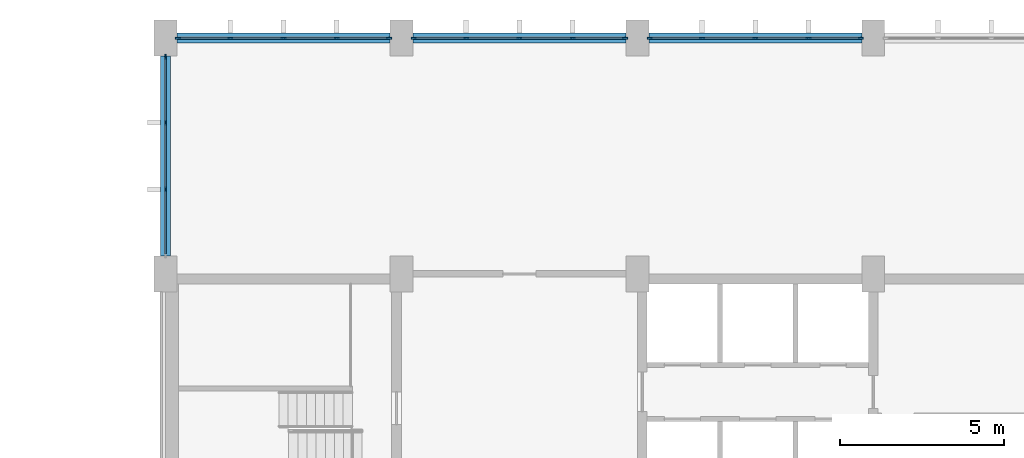
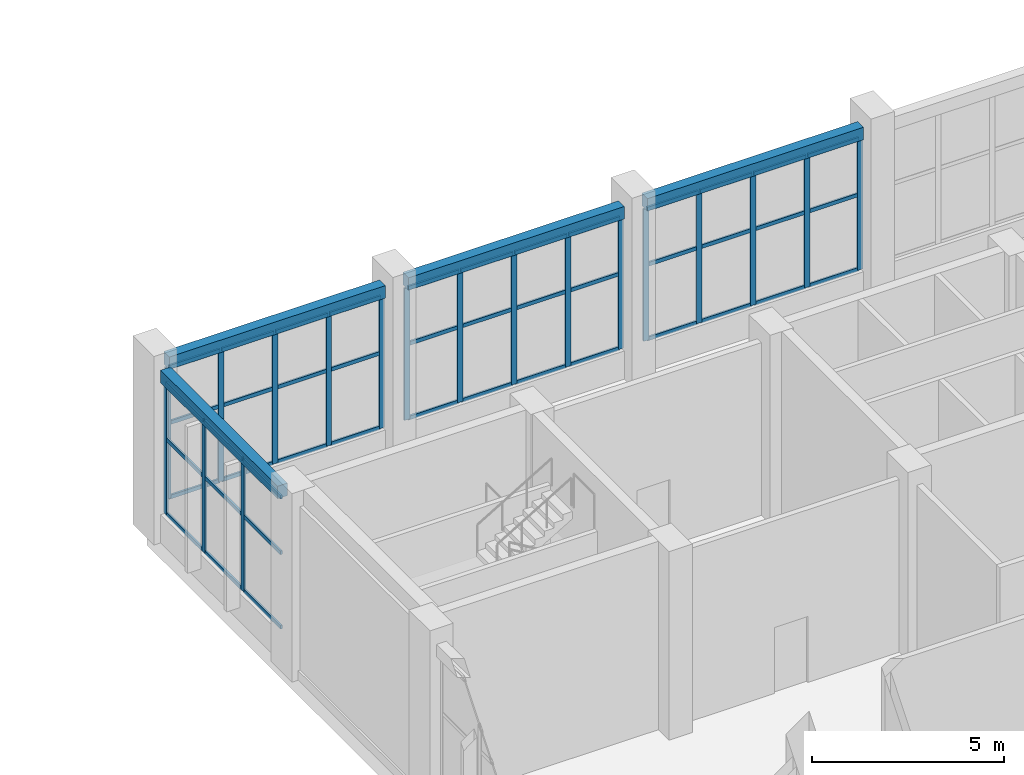
# One storey, part 15 of 44: 63 members, 4 beams, 4 elements without a shape of their own.
"""IFC4 building model written with IfcOpenShell, lengths in metres."""

from ifc_helpers import new_model, si_unit, direction, frame, origin, origin_2d, place, context, subcontext, project, spatial, rectangle, extrude, material, layer, layer_set, material_profile, profile_set, type_object, element, aggregate, save


model = new_model("IFC4")

# Units and contexts
model_context = context("Model", 3, precision=1e-05, world=origin(), true_north=direction((0.0, 1.0)))
body_context = subcontext(model_context, "Body", "Model", "MODEL_VIEW")
ifc_project = project(units=[si_unit("LENGTHUNIT", "METRE"), si_unit("AREAUNIT", "SQUARE_METRE"), si_unit("VOLUMEUNIT", "CUBIC_METRE"), si_unit("PLANEANGLEUNIT", "RADIAN"), si_unit("MASSUNIT", "GRAM", prefix="KILO")], contexts=[model_context])

# Site, building, storey
site_placement = place(None, origin())
site = spatial("IfcSite", under=ifc_project, at=site_placement, CompositionType="ELEMENT")
building_placement = place(site_placement, origin())
building = spatial("IfcBuilding", under=site, at=building_placement, Name="Vermilion Court Aquatics Centre", CompositionType="ELEMENT")
storey_placement = place(building_placement, frame((0.0, 0.0, 6.0)))
storey = spatial("IfcBuildingStorey", under=building, at=storey_placement, Name="L01", CompositionType="ELEMENT", Elevation=6.0)

# Curtain wall, members
ifc_material_1 = material(Name="Aluminium 6063-T5", Category="aluminium")
ifc_layer = layer(ifc_material_1, 0.14990234375)
ifc_layer_set = layer_set([ifc_layer], Name="Podium curtain wall bay, 1800 module")
curtain_wall_type = type_object("IfcCurtainWallType", Name="Podium curtain wall bay, 1800 module", PredefinedType="NOTDEFINED", material=ifc_layer_set)
curtain_wall_1_placement = place(storey_placement, origin())
curtain_wall_1 = element("IfcCurtainWall", 1, at=curtain_wall_1_placement, inside=storey, type_object=curtain_wall_type, Name="Curtain wall L01", PredefinedType="NOTDEFINED")
ifc_material_2 = material(Name="Aluminium 6063-T5", Category="aluminium")
ifc_material_profile_1 = material_profile(ifc_material_2, rectangle(XDim=0.06005859375, YDim=0.159912109375, at=origin_2d()), Name="Mullion 60x160")
ifc_profile_set_1 = profile_set([ifc_material_profile_1], Name="Aluminium 6063-T5")
member_type_1 = type_object("IfcMemberType", Name="Podium curtain wall mullion 60x160", PredefinedType="MULLION", material=ifc_profile_set_1)
member_1_placement = place(storey_placement, frame((144.3798828125, 115.199951171875, 0.89990234375), z_axis=(0.0, 0.0, 1.0), x_axis=(0.0, 1.0, 0.0)))
member_1 = element("IfcMember", 2, at=member_1_placement, type_object=member_type_1, Name="PG2 mullion 1", PredefinedType="MULLION", context=body_context, shape_type="SweptSolid", body=[
    extrude(rectangle(XDim=0.06005859375, YDim=0.159912109375, at=origin_2d()), origin(), (0.0, 0.0, 1.0), 4.2001953125),
])
member_2_placement = place(storey_placement, frame((145.97509765625, 115.199951171875, 0.89990234375), z_axis=(0.0, 0.0, 1.0), x_axis=(0.0, 1.0, 0.0)))
member_2 = element("IfcMember", 3, at=member_2_placement, type_object=member_type_1, Name="PG2 mullion 2", PredefinedType="MULLION", context=body_context, shape_type="SweptSolid", body=[
    extrude(rectangle(XDim=0.06005859375, YDim=0.159912109375, at=origin_2d()), origin(), (0.0, 0.0, 1.0), 4.2001953125),
])
member_3_placement = place(storey_placement, frame((147.60009765625, 115.199951171875, 0.89990234375), z_axis=(0.0, 0.0, 1.0), x_axis=(0.0, 1.0, 0.0)))
member_3 = element("IfcMember", 4, at=member_3_placement, type_object=member_type_1, Name="PG2 mullion 3", PredefinedType="MULLION", context=body_context, shape_type="SweptSolid", body=[
    extrude(rectangle(XDim=0.06005859375, YDim=0.159912109375, at=origin_2d()), origin(), (0.0, 0.0, 1.0), 4.2001953125),
])
member_4_placement = place(storey_placement, frame((149.22509765625, 115.199951171875, 0.89990234375), z_axis=(0.0, 0.0, 1.0), x_axis=(0.0, 1.0, 0.0)))
member_4 = element("IfcMember", 5, at=member_4_placement, type_object=member_type_1, Name="PG2 mullion 4", PredefinedType="MULLION", context=body_context, shape_type="SweptSolid", body=[
    extrude(rectangle(XDim=0.06005859375, YDim=0.159912109375, at=origin_2d()), origin(), (0.0, 0.0, 1.0), 4.2001953125),
])
member_5_placement = place(storey_placement, frame((150.820068359375, 115.199951171875, 0.89990234375), z_axis=(0.0, 0.0, 1.0), x_axis=(0.0, 1.0, 0.0)))
member_5 = element("IfcMember", 6, at=member_5_placement, type_object=member_type_1, Name="PG2 mullion 5", PredefinedType="MULLION", context=body_context, shape_type="SweptSolid", body=[
    extrude(rectangle(XDim=0.06005859375, YDim=0.159912109375, at=origin_2d()), origin(), (0.0, 0.0, 1.0), 4.2001953125),
])

curtain_wall_2_placement = place(storey_placement, origin())
curtain_wall_2 = element("IfcCurtainWall", 7, at=curtain_wall_2_placement, inside=storey, type_object=curtain_wall_type, Name="Curtain wall L01", PredefinedType="NOTDEFINED")
member_6_placement = place(storey_placement, frame((151.580078125, 115.199951171875, 0.89990234375), z_axis=(0.0, 0.0, 1.0), x_axis=(0.0, 1.0, 0.0)))
member_6 = element("IfcMember", 8, at=member_6_placement, type_object=member_type_1, Name="PG2 mullion 1", PredefinedType="MULLION", context=body_context, shape_type="SweptSolid", body=[
    extrude(rectangle(XDim=0.06005859375, YDim=0.159912109375, at=origin_2d()), origin(), (0.0, 0.0, 1.0), 4.2001953125),
])
member_7_placement = place(storey_placement, frame((153.175048828125, 115.199951171875, 0.89990234375), z_axis=(0.0, 0.0, 1.0), x_axis=(0.0, 1.0, 0.0)))
member_7 = element("IfcMember", 9, at=member_7_placement, type_object=member_type_1, Name="PG2 mullion 2", PredefinedType="MULLION", context=body_context, shape_type="SweptSolid", body=[
    extrude(rectangle(XDim=0.06005859375, YDim=0.159912109375, at=origin_2d()), origin(), (0.0, 0.0, 1.0), 4.2001953125),
])
member_8_placement = place(storey_placement, frame((154.800048828125, 115.199951171875, 0.89990234375), z_axis=(0.0, 0.0, 1.0), x_axis=(0.0, 1.0, 0.0)))
member_8 = element("IfcMember", 10, at=member_8_placement, type_object=member_type_1, Name="PG2 mullion 3", PredefinedType="MULLION", context=body_context, shape_type="SweptSolid", body=[
    extrude(rectangle(XDim=0.06005859375, YDim=0.159912109375, at=origin_2d()), origin(), (0.0, 0.0, 1.0), 4.2001953125),
])
member_9_placement = place(storey_placement, frame((156.425048828125, 115.199951171875, 0.89990234375), z_axis=(0.0, 0.0, 1.0), x_axis=(0.0, 1.0, 0.0)))
member_9 = element("IfcMember", 11, at=member_9_placement, type_object=member_type_1, Name="PG2 mullion 4", PredefinedType="MULLION", context=body_context, shape_type="SweptSolid", body=[
    extrude(rectangle(XDim=0.06005859375, YDim=0.159912109375, at=origin_2d()), origin(), (0.0, 0.0, 1.0), 4.2001953125),
])
member_10_placement = place(storey_placement, frame((158.02001953125, 115.199951171875, 0.89990234375), z_axis=(0.0, 0.0, 1.0), x_axis=(0.0, 1.0, 0.0)))
member_10 = element("IfcMember", 12, at=member_10_placement, type_object=member_type_1, Name="PG2 mullion 5", PredefinedType="MULLION", context=body_context, shape_type="SweptSolid", body=[
    extrude(rectangle(XDim=0.06005859375, YDim=0.159912109375, at=origin_2d()), origin(), (0.0, 0.0, 1.0), 4.2001953125),
])

curtain_wall_3_placement = place(storey_placement, origin())
curtain_wall_3 = element("IfcCurtainWall", 13, at=curtain_wall_3_placement, inside=storey, type_object=curtain_wall_type, Name="Curtain wall L01", PredefinedType="NOTDEFINED")
member_11_placement = place(storey_placement, frame((158.780029296875, 115.199951171875, 0.89990234375), z_axis=(0.0, 0.0, 1.0), x_axis=(0.0, 1.0, 0.0)))
member_11 = element("IfcMember", 14, at=member_11_placement, type_object=member_type_1, Name="PG2 mullion 1", PredefinedType="MULLION", context=body_context, shape_type="SweptSolid", body=[
    extrude(rectangle(XDim=0.06005859375, YDim=0.159912109375, at=origin_2d()), origin(), (0.0, 0.0, 1.0), 4.2001953125),
])
member_12_placement = place(storey_placement, frame((160.375, 115.199951171875, 0.89990234375), z_axis=(0.0, 0.0, 1.0), x_axis=(0.0, 1.0, 0.0)))
member_12 = element("IfcMember", 15, at=member_12_placement, type_object=member_type_1, Name="PG2 mullion 2", PredefinedType="MULLION", context=body_context, shape_type="SweptSolid", body=[
    extrude(rectangle(XDim=0.06005859375, YDim=0.159912109375, at=origin_2d()), origin(), (0.0, 0.0, 1.0), 4.2001953125),
])
member_13_placement = place(storey_placement, frame((162.0, 115.199951171875, 0.89990234375), z_axis=(0.0, 0.0, 1.0), x_axis=(0.0, 1.0, 0.0)))
member_13 = element("IfcMember", 16, at=member_13_placement, type_object=member_type_1, Name="PG2 mullion 3", PredefinedType="MULLION", context=body_context, shape_type="SweptSolid", body=[
    extrude(rectangle(XDim=0.06005859375, YDim=0.159912109375, at=origin_2d()), origin(), (0.0, 0.0, 1.0), 4.2001953125),
])
member_14_placement = place(storey_placement, frame((163.625, 115.199951171875, 0.89990234375), z_axis=(0.0, 0.0, 1.0), x_axis=(0.0, 1.0, 0.0)))
member_14 = element("IfcMember", 17, at=member_14_placement, type_object=member_type_1, Name="PG2 mullion 4", PredefinedType="MULLION", context=body_context, shape_type="SweptSolid", body=[
    extrude(rectangle(XDim=0.06005859375, YDim=0.159912109375, at=origin_2d()), origin(), (0.0, 0.0, 1.0), 4.2001953125),
])
member_15_placement = place(storey_placement, frame((165.219970703125, 115.199951171875, 0.89990234375), z_axis=(0.0, 0.0, 1.0), x_axis=(0.0, 1.0, 0.0)))
member_15 = element("IfcMember", 18, at=member_15_placement, type_object=member_type_1, Name="PG2 mullion 5", PredefinedType="MULLION", context=body_context, shape_type="SweptSolid", body=[
    extrude(rectangle(XDim=0.06005859375, YDim=0.159912109375, at=origin_2d()), origin(), (0.0, 0.0, 1.0), 4.2001953125),
])

curtain_wall_4_placement = place(storey_placement, origin())
curtain_wall_4 = element("IfcCurtainWall", 19, at=curtain_wall_4_placement, inside=storey, type_object=curtain_wall_type, Name="Curtain wall L01", PredefinedType="NOTDEFINED")
member_16_placement = place(storey_placement, frame((144.0, 110.583251953125, 0.89990234375), z_axis=(0.0, 0.0, 1.0), x_axis=(-1.0, 0.0, 0.0)))
member_16 = element("IfcMember", 20, at=member_16_placement, type_object=member_type_1, Name="PG2 mullion 2", PredefinedType="MULLION", context=body_context, shape_type="SweptSolid", body=[
    extrude(rectangle(XDim=0.06005859375, YDim=0.159912109375, at=origin_2d()), origin(), (0.0, 0.0, 1.0), 4.2001953125),
])
member_17_placement = place(storey_placement, frame((144.0, 112.61669921875, 0.89990234375), z_axis=(0.0, 0.0, 1.0), x_axis=(-1.0, 0.0, 0.0)))
member_17 = element("IfcMember", 21, at=member_17_placement, type_object=member_type_1, Name="PG2 mullion 3", PredefinedType="MULLION", context=body_context, shape_type="SweptSolid", body=[
    extrude(rectangle(XDim=0.06005859375, YDim=0.159912109375, at=origin_2d()), origin(), (0.0, 0.0, 1.0), 4.2001953125),
])
member_18_placement = place(storey_placement, frame((144.0, 114.6201171875, 0.89990234375), z_axis=(0.0, 0.0, 1.0), x_axis=(-1.0, 0.0, 0.0)))
member_18 = element("IfcMember", 22, at=member_18_placement, type_object=member_type_1, Name="PG2 mullion 4", PredefinedType="MULLION", context=body_context, shape_type="SweptSolid", body=[
    extrude(rectangle(XDim=0.06005859375, YDim=0.159912109375, at=origin_2d()), origin(), (0.0, 0.0, 1.0), 4.2001953125),
])

# Member
ifc_material_3 = material(Name="Aluminium 6063-T5", Category="aluminium")
ifc_material_profile_2 = material_profile(ifc_material_3, rectangle(XDim=0.06005859375, YDim=0.1201171875, at=origin_2d()), Name="Transom 60x120")
ifc_profile_set_2 = profile_set([ifc_material_profile_2], Name="Aluminium 6063-T5")
member_type_2 = type_object("IfcMemberType", Name="Podium curtain wall transom 60x120", PredefinedType="USERDEFINED", material=ifc_profile_set_2)
member_19_placement = place(storey_placement, frame((144.409912109375, 115.199951171875, 0.929931640625), z_axis=(1.0, 0.0, 0.0), x_axis=(0.0, 1.0, 0.0)))
member_19 = element("IfcMember", 23, at=member_19_placement, type_object=member_type_2, Name="PG2 transom 1.1", ObjectType="TRANSOM", PredefinedType="USERDEFINED", context=body_context, shape_type="SweptSolid", body=[
    extrude(rectangle(XDim=0.06005859375, YDim=0.1201171875, at=origin_2d()), origin(), (0.0, 0.0, 1.0), 1.53515625),
])

member_20_placement = place(storey_placement, frame((144.409912109375, 115.199951171875, 3.300048828125), z_axis=(1.0, 0.0, 0.0), x_axis=(0.0, 1.0, 0.0)))
member_20 = element("IfcMember", 24, at=member_20_placement, type_object=member_type_2, Name="PG2 transom 1.2", ObjectType="TRANSOM", PredefinedType="USERDEFINED", context=body_context, shape_type="SweptSolid", body=[
    extrude(rectangle(XDim=0.06005859375, YDim=0.1201171875, at=origin_2d()), origin(), (0.0, 0.0, 1.0), 1.53515625),
])

member_21_placement = place(storey_placement, frame((144.409912109375, 115.199951171875, 5.070068359375), z_axis=(1.0, 0.0, 0.0), x_axis=(0.0, 1.0, 0.0)))
member_21 = element("IfcMember", 25, at=member_21_placement, type_object=member_type_2, Name="PG2 transom 1.3", ObjectType="TRANSOM", PredefinedType="USERDEFINED", context=body_context, shape_type="SweptSolid", body=[
    extrude(rectangle(XDim=0.06005859375, YDim=0.1201171875, at=origin_2d()), origin(), (0.0, 0.0, 1.0), 1.53515625),
])

member_22_placement = place(storey_placement, frame((146.0048828125, 115.199951171875, 0.929931640625), z_axis=(1.0, 0.0, 0.0), x_axis=(0.0, 1.0, 0.0)))
member_22 = element("IfcMember", 26, at=member_22_placement, type_object=member_type_2, Name="PG2 transom 2.1", ObjectType="TRANSOM", PredefinedType="USERDEFINED", context=body_context, shape_type="SweptSolid", body=[
    extrude(rectangle(XDim=0.06005859375, YDim=0.1201171875, at=origin_2d()), origin(), (0.0, 0.0, 1.0), 1.565185546875),
])

member_23_placement = place(storey_placement, frame((146.0048828125, 115.199951171875, 3.300048828125), z_axis=(1.0, 0.0, 0.0), x_axis=(0.0, 1.0, 0.0)))
member_23 = element("IfcMember", 27, at=member_23_placement, type_object=member_type_2, Name="PG2 transom 2.2", ObjectType="TRANSOM", PredefinedType="USERDEFINED", context=body_context, shape_type="SweptSolid", body=[
    extrude(rectangle(XDim=0.06005859375, YDim=0.1201171875, at=origin_2d()), origin(), (0.0, 0.0, 1.0), 1.565185546875),
])

member_24_placement = place(storey_placement, frame((146.0048828125, 115.199951171875, 5.070068359375), z_axis=(1.0, 0.0, 0.0), x_axis=(0.0, 1.0, 0.0)))
member_24 = element("IfcMember", 28, at=member_24_placement, type_object=member_type_2, Name="PG2 transom 2.3", ObjectType="TRANSOM", PredefinedType="USERDEFINED", context=body_context, shape_type="SweptSolid", body=[
    extrude(rectangle(XDim=0.06005859375, YDim=0.1201171875, at=origin_2d()), origin(), (0.0, 0.0, 1.0), 1.565185546875),
])

member_25_placement = place(storey_placement, frame((147.6298828125, 115.199951171875, 0.929931640625), z_axis=(1.0, 0.0, 0.0), x_axis=(0.0, 1.0, 0.0)))
member_25 = element("IfcMember", 29, at=member_25_placement, type_object=member_type_2, Name="PG2 transom 3.1", ObjectType="TRANSOM", PredefinedType="USERDEFINED", context=body_context, shape_type="SweptSolid", body=[
    extrude(rectangle(XDim=0.06005859375, YDim=0.1201171875, at=origin_2d()), origin(), (0.0, 0.0, 1.0), 1.565185546875),
])

member_26_placement = place(storey_placement, frame((147.6298828125, 115.199951171875, 3.300048828125), z_axis=(1.0, 0.0, 0.0), x_axis=(0.0, 1.0, 0.0)))
member_26 = element("IfcMember", 30, at=member_26_placement, type_object=member_type_2, Name="PG2 transom 3.2", ObjectType="TRANSOM", PredefinedType="USERDEFINED", context=body_context, shape_type="SweptSolid", body=[
    extrude(rectangle(XDim=0.06005859375, YDim=0.1201171875, at=origin_2d()), origin(), (0.0, 0.0, 1.0), 1.565185546875),
])

member_27_placement = place(storey_placement, frame((147.6298828125, 115.199951171875, 5.070068359375), z_axis=(1.0, 0.0, 0.0), x_axis=(0.0, 1.0, 0.0)))
member_27 = element("IfcMember", 31, at=member_27_placement, type_object=member_type_2, Name="PG2 transom 3.3", ObjectType="TRANSOM", PredefinedType="USERDEFINED", context=body_context, shape_type="SweptSolid", body=[
    extrude(rectangle(XDim=0.06005859375, YDim=0.1201171875, at=origin_2d()), origin(), (0.0, 0.0, 1.0), 1.565185546875),
])

member_28_placement = place(storey_placement, frame((149.2548828125, 115.199951171875, 0.929931640625), z_axis=(1.0, 0.0, 0.0), x_axis=(0.0, 1.0, 0.0)))
member_28 = element("IfcMember", 32, at=member_28_placement, type_object=member_type_2, Name="PG2 transom 4.1", ObjectType="TRANSOM", PredefinedType="USERDEFINED", context=body_context, shape_type="SweptSolid", body=[
    extrude(rectangle(XDim=0.06005859375, YDim=0.1201171875, at=origin_2d()), origin(), (0.0, 0.0, 1.0), 1.53515625),
])

member_29_placement = place(storey_placement, frame((149.2548828125, 115.199951171875, 3.300048828125), z_axis=(1.0, 0.0, 0.0), x_axis=(0.0, 1.0, 0.0)))
member_29 = element("IfcMember", 33, at=member_29_placement, type_object=member_type_2, Name="PG2 transom 4.2", ObjectType="TRANSOM", PredefinedType="USERDEFINED", context=body_context, shape_type="SweptSolid", body=[
    extrude(rectangle(XDim=0.06005859375, YDim=0.1201171875, at=origin_2d()), origin(), (0.0, 0.0, 1.0), 1.53515625),
])

member_30_placement = place(storey_placement, frame((149.2548828125, 115.199951171875, 5.070068359375), z_axis=(1.0, 0.0, 0.0), x_axis=(0.0, 1.0, 0.0)))
member_30 = element("IfcMember", 34, at=member_30_placement, type_object=member_type_2, Name="PG2 transom 4.3", ObjectType="TRANSOM", PredefinedType="USERDEFINED", context=body_context, shape_type="SweptSolid", body=[
    extrude(rectangle(XDim=0.06005859375, YDim=0.1201171875, at=origin_2d()), origin(), (0.0, 0.0, 1.0), 1.53515625),
])

aggregate(curtain_wall_1, [member_1, member_2, member_3, member_4, member_5, member_19, member_20, member_21, member_22, member_23, member_24, member_25, member_26, member_27, member_28, member_29, member_30])

member_31_placement = place(storey_placement, frame((151.610107421875, 115.199951171875, 0.929931640625), z_axis=(1.0, 0.0, 0.0), x_axis=(0.0, 1.0, 0.0)))
member_31 = element("IfcMember", 35, at=member_31_placement, type_object=member_type_2, Name="PG2 transom 1.1", ObjectType="TRANSOM", PredefinedType="USERDEFINED", context=body_context, shape_type="SweptSolid", body=[
    extrude(rectangle(XDim=0.06005859375, YDim=0.1201171875, at=origin_2d()), origin(), (0.0, 0.0, 1.0), 1.534912109375),
])

member_32_placement = place(storey_placement, frame((151.610107421875, 115.199951171875, 3.300048828125), z_axis=(1.0, 0.0, 0.0), x_axis=(0.0, 1.0, 0.0)))
member_32 = element("IfcMember", 36, at=member_32_placement, type_object=member_type_2, Name="PG2 transom 1.2", ObjectType="TRANSOM", PredefinedType="USERDEFINED", context=body_context, shape_type="SweptSolid", body=[
    extrude(rectangle(XDim=0.06005859375, YDim=0.1201171875, at=origin_2d()), origin(), (0.0, 0.0, 1.0), 1.534912109375),
])

member_33_placement = place(storey_placement, frame((151.610107421875, 115.199951171875, 5.070068359375), z_axis=(1.0, 0.0, 0.0), x_axis=(0.0, 1.0, 0.0)))
member_33 = element("IfcMember", 37, at=member_33_placement, type_object=member_type_2, Name="PG2 transom 1.3", ObjectType="TRANSOM", PredefinedType="USERDEFINED", context=body_context, shape_type="SweptSolid", body=[
    extrude(rectangle(XDim=0.06005859375, YDim=0.1201171875, at=origin_2d()), origin(), (0.0, 0.0, 1.0), 1.534912109375),
])

member_34_placement = place(storey_placement, frame((153.205078125, 115.199951171875, 0.929931640625), z_axis=(1.0, 0.0, 0.0), x_axis=(0.0, 1.0, 0.0)))
member_34 = element("IfcMember", 38, at=member_34_placement, type_object=member_type_2, Name="PG2 transom 2.1", ObjectType="TRANSOM", PredefinedType="USERDEFINED", context=body_context, shape_type="SweptSolid", body=[
    extrude(rectangle(XDim=0.06005859375, YDim=0.1201171875, at=origin_2d()), origin(), (0.0, 0.0, 1.0), 1.56494140625),
])

member_35_placement = place(storey_placement, frame((153.205078125, 115.199951171875, 3.300048828125), z_axis=(1.0, 0.0, 0.0), x_axis=(0.0, 1.0, 0.0)))
member_35 = element("IfcMember", 39, at=member_35_placement, type_object=member_type_2, Name="PG2 transom 2.2", ObjectType="TRANSOM", PredefinedType="USERDEFINED", context=body_context, shape_type="SweptSolid", body=[
    extrude(rectangle(XDim=0.06005859375, YDim=0.1201171875, at=origin_2d()), origin(), (0.0, 0.0, 1.0), 1.56494140625),
])

member_36_placement = place(storey_placement, frame((153.205078125, 115.199951171875, 5.070068359375), z_axis=(1.0, 0.0, 0.0), x_axis=(0.0, 1.0, 0.0)))
member_36 = element("IfcMember", 40, at=member_36_placement, type_object=member_type_2, Name="PG2 transom 2.3", ObjectType="TRANSOM", PredefinedType="USERDEFINED", context=body_context, shape_type="SweptSolid", body=[
    extrude(rectangle(XDim=0.06005859375, YDim=0.1201171875, at=origin_2d()), origin(), (0.0, 0.0, 1.0), 1.56494140625),
])

member_37_placement = place(storey_placement, frame((154.830078125, 115.199951171875, 0.929931640625), z_axis=(1.0, 0.0, 0.0), x_axis=(0.0, 1.0, 0.0)))
member_37 = element("IfcMember", 41, at=member_37_placement, type_object=member_type_2, Name="PG2 transom 3.1", ObjectType="TRANSOM", PredefinedType="USERDEFINED", context=body_context, shape_type="SweptSolid", body=[
    extrude(rectangle(XDim=0.06005859375, YDim=0.1201171875, at=origin_2d()), origin(), (0.0, 0.0, 1.0), 1.56494140625),
])

member_38_placement = place(storey_placement, frame((154.830078125, 115.199951171875, 3.300048828125), z_axis=(1.0, 0.0, 0.0), x_axis=(0.0, 1.0, 0.0)))
member_38 = element("IfcMember", 42, at=member_38_placement, type_object=member_type_2, Name="PG2 transom 3.2", ObjectType="TRANSOM", PredefinedType="USERDEFINED", context=body_context, shape_type="SweptSolid", body=[
    extrude(rectangle(XDim=0.06005859375, YDim=0.1201171875, at=origin_2d()), origin(), (0.0, 0.0, 1.0), 1.56494140625),
])

member_39_placement = place(storey_placement, frame((154.830078125, 115.199951171875, 5.070068359375), z_axis=(1.0, 0.0, 0.0), x_axis=(0.0, 1.0, 0.0)))
member_39 = element("IfcMember", 43, at=member_39_placement, type_object=member_type_2, Name="PG2 transom 3.3", ObjectType="TRANSOM", PredefinedType="USERDEFINED", context=body_context, shape_type="SweptSolid", body=[
    extrude(rectangle(XDim=0.06005859375, YDim=0.1201171875, at=origin_2d()), origin(), (0.0, 0.0, 1.0), 1.56494140625),
])

member_40_placement = place(storey_placement, frame((156.455078125, 115.199951171875, 0.929931640625), z_axis=(1.0, 0.0, 0.0), x_axis=(0.0, 1.0, 0.0)))
member_40 = element("IfcMember", 44, at=member_40_placement, type_object=member_type_2, Name="PG2 transom 4.1", ObjectType="TRANSOM", PredefinedType="USERDEFINED", context=body_context, shape_type="SweptSolid", body=[
    extrude(rectangle(XDim=0.06005859375, YDim=0.1201171875, at=origin_2d()), origin(), (0.0, 0.0, 1.0), 1.534912109375),
])

member_41_placement = place(storey_placement, frame((156.455078125, 115.199951171875, 3.300048828125), z_axis=(1.0, 0.0, 0.0), x_axis=(0.0, 1.0, 0.0)))
member_41 = element("IfcMember", 45, at=member_41_placement, type_object=member_type_2, Name="PG2 transom 4.2", ObjectType="TRANSOM", PredefinedType="USERDEFINED", context=body_context, shape_type="SweptSolid", body=[
    extrude(rectangle(XDim=0.06005859375, YDim=0.1201171875, at=origin_2d()), origin(), (0.0, 0.0, 1.0), 1.534912109375),
])

member_42_placement = place(storey_placement, frame((156.455078125, 115.199951171875, 5.070068359375), z_axis=(1.0, 0.0, 0.0), x_axis=(0.0, 1.0, 0.0)))
member_42 = element("IfcMember", 46, at=member_42_placement, type_object=member_type_2, Name="PG2 transom 4.3", ObjectType="TRANSOM", PredefinedType="USERDEFINED", context=body_context, shape_type="SweptSolid", body=[
    extrude(rectangle(XDim=0.06005859375, YDim=0.1201171875, at=origin_2d()), origin(), (0.0, 0.0, 1.0), 1.534912109375),
])

aggregate(curtain_wall_2, [member_6, member_7, member_8, member_9, member_10, member_31, member_32, member_33, member_34, member_35, member_36, member_37, member_38, member_39, member_40, member_41, member_42])

member_43_placement = place(storey_placement, frame((158.81005859375, 115.199951171875, 0.929931640625), z_axis=(1.0, 0.0, 0.0), x_axis=(0.0, 1.0, 0.0)))
member_43 = element("IfcMember", 47, at=member_43_placement, type_object=member_type_2, Name="PG2 transom 1.1", ObjectType="TRANSOM", PredefinedType="USERDEFINED", context=body_context, shape_type="SweptSolid", body=[
    extrude(rectangle(XDim=0.06005859375, YDim=0.1201171875, at=origin_2d()), origin(), (0.0, 0.0, 1.0), 1.534912109375),
])

member_44_placement = place(storey_placement, frame((158.81005859375, 115.199951171875, 3.300048828125), z_axis=(1.0, 0.0, 0.0), x_axis=(0.0, 1.0, 0.0)))
member_44 = element("IfcMember", 48, at=member_44_placement, type_object=member_type_2, Name="PG2 transom 1.2", ObjectType="TRANSOM", PredefinedType="USERDEFINED", context=body_context, shape_type="SweptSolid", body=[
    extrude(rectangle(XDim=0.06005859375, YDim=0.1201171875, at=origin_2d()), origin(), (0.0, 0.0, 1.0), 1.534912109375),
])

member_45_placement = place(storey_placement, frame((158.81005859375, 115.199951171875, 5.070068359375), z_axis=(1.0, 0.0, 0.0), x_axis=(0.0, 1.0, 0.0)))
member_45 = element("IfcMember", 49, at=member_45_placement, type_object=member_type_2, Name="PG2 transom 1.3", ObjectType="TRANSOM", PredefinedType="USERDEFINED", context=body_context, shape_type="SweptSolid", body=[
    extrude(rectangle(XDim=0.06005859375, YDim=0.1201171875, at=origin_2d()), origin(), (0.0, 0.0, 1.0), 1.534912109375),
])

member_46_placement = place(storey_placement, frame((160.405029296875, 115.199951171875, 0.929931640625), z_axis=(1.0, 0.0, 0.0), x_axis=(0.0, 1.0, 0.0)))
member_46 = element("IfcMember", 50, at=member_46_placement, type_object=member_type_2, Name="PG2 transom 2.1", ObjectType="TRANSOM", PredefinedType="USERDEFINED", context=body_context, shape_type="SweptSolid", body=[
    extrude(rectangle(XDim=0.06005859375, YDim=0.1201171875, at=origin_2d()), origin(), (0.0, 0.0, 1.0), 1.56494140625),
])

member_47_placement = place(storey_placement, frame((160.405029296875, 115.199951171875, 3.300048828125), z_axis=(1.0, 0.0, 0.0), x_axis=(0.0, 1.0, 0.0)))
member_47 = element("IfcMember", 51, at=member_47_placement, type_object=member_type_2, Name="PG2 transom 2.2", ObjectType="TRANSOM", PredefinedType="USERDEFINED", context=body_context, shape_type="SweptSolid", body=[
    extrude(rectangle(XDim=0.06005859375, YDim=0.1201171875, at=origin_2d()), origin(), (0.0, 0.0, 1.0), 1.56494140625),
])

member_48_placement = place(storey_placement, frame((160.405029296875, 115.199951171875, 5.070068359375), z_axis=(1.0, 0.0, 0.0), x_axis=(0.0, 1.0, 0.0)))
member_48 = element("IfcMember", 52, at=member_48_placement, type_object=member_type_2, Name="PG2 transom 2.3", ObjectType="TRANSOM", PredefinedType="USERDEFINED", context=body_context, shape_type="SweptSolid", body=[
    extrude(rectangle(XDim=0.06005859375, YDim=0.1201171875, at=origin_2d()), origin(), (0.0, 0.0, 1.0), 1.56494140625),
])

member_49_placement = place(storey_placement, frame((162.030029296875, 115.199951171875, 0.929931640625), z_axis=(1.0, 0.0, 0.0), x_axis=(0.0, 1.0, 0.0)))
member_49 = element("IfcMember", 53, at=member_49_placement, type_object=member_type_2, Name="PG2 transom 3.1", ObjectType="TRANSOM", PredefinedType="USERDEFINED", context=body_context, shape_type="SweptSolid", body=[
    extrude(rectangle(XDim=0.06005859375, YDim=0.1201171875, at=origin_2d()), origin(), (0.0, 0.0, 1.0), 1.56494140625),
])

member_50_placement = place(storey_placement, frame((162.030029296875, 115.199951171875, 3.300048828125), z_axis=(1.0, 0.0, 0.0), x_axis=(0.0, 1.0, 0.0)))
member_50 = element("IfcMember", 54, at=member_50_placement, type_object=member_type_2, Name="PG2 transom 3.2", ObjectType="TRANSOM", PredefinedType="USERDEFINED", context=body_context, shape_type="SweptSolid", body=[
    extrude(rectangle(XDim=0.06005859375, YDim=0.1201171875, at=origin_2d()), origin(), (0.0, 0.0, 1.0), 1.56494140625),
])

member_51_placement = place(storey_placement, frame((162.030029296875, 115.199951171875, 5.070068359375), z_axis=(1.0, 0.0, 0.0), x_axis=(0.0, 1.0, 0.0)))
member_51 = element("IfcMember", 55, at=member_51_placement, type_object=member_type_2, Name="PG2 transom 3.3", ObjectType="TRANSOM", PredefinedType="USERDEFINED", context=body_context, shape_type="SweptSolid", body=[
    extrude(rectangle(XDim=0.06005859375, YDim=0.1201171875, at=origin_2d()), origin(), (0.0, 0.0, 1.0), 1.56494140625),
])

member_52_placement = place(storey_placement, frame((163.655029296875, 115.199951171875, 0.929931640625), z_axis=(1.0, 0.0, 0.0), x_axis=(0.0, 1.0, 0.0)))
member_52 = element("IfcMember", 56, at=member_52_placement, type_object=member_type_2, Name="PG2 transom 4.1", ObjectType="TRANSOM", PredefinedType="USERDEFINED", context=body_context, shape_type="SweptSolid", body=[
    extrude(rectangle(XDim=0.06005859375, YDim=0.1201171875, at=origin_2d()), origin(), (0.0, 0.0, 1.0), 1.534912109375),
])

member_53_placement = place(storey_placement, frame((163.655029296875, 115.199951171875, 3.300048828125), z_axis=(1.0, 0.0, 0.0), x_axis=(0.0, 1.0, 0.0)))
member_53 = element("IfcMember", 57, at=member_53_placement, type_object=member_type_2, Name="PG2 transom 4.2", ObjectType="TRANSOM", PredefinedType="USERDEFINED", context=body_context, shape_type="SweptSolid", body=[
    extrude(rectangle(XDim=0.06005859375, YDim=0.1201171875, at=origin_2d()), origin(), (0.0, 0.0, 1.0), 1.534912109375),
])

member_54_placement = place(storey_placement, frame((163.655029296875, 115.199951171875, 5.070068359375), z_axis=(1.0, 0.0, 0.0), x_axis=(0.0, 1.0, 0.0)))
member_54 = element("IfcMember", 58, at=member_54_placement, type_object=member_type_2, Name="PG2 transom 4.3", ObjectType="TRANSOM", PredefinedType="USERDEFINED", context=body_context, shape_type="SweptSolid", body=[
    extrude(rectangle(XDim=0.06005859375, YDim=0.1201171875, at=origin_2d()), origin(), (0.0, 0.0, 1.0), 1.534912109375),
])

aggregate(curtain_wall_3, [member_11, member_12, member_13, member_14, member_15, member_43, member_44, member_45, member_46, member_47, member_48, member_49, member_50, member_51, member_52, member_53, member_54])

member_55_placement = place(storey_placement, frame((144.0, 108.610107421875, 0.929931640625), z_axis=(0.0, 1.0, 0.0), x_axis=(-1.0, 0.0, 0.0)))
member_55 = element("IfcMember", 59, at=member_55_placement, type_object=member_type_2, Name="PG2 transom 1.1", ObjectType="TRANSOM", PredefinedType="USERDEFINED", context=body_context, shape_type="SweptSolid", body=[
    extrude(rectangle(XDim=0.06005859375, YDim=0.1201171875, at=origin_2d()), origin(), (0.0, 0.0, 1.0), 1.943115234375),
])

member_56_placement = place(storey_placement, frame((144.0, 108.610107421875, 3.300048828125), z_axis=(0.0, 1.0, 0.0), x_axis=(-1.0, 0.0, 0.0)))
member_56 = element("IfcMember", 60, at=member_56_placement, type_object=member_type_2, Name="PG2 transom 1.2", ObjectType="TRANSOM", PredefinedType="USERDEFINED", context=body_context, shape_type="SweptSolid", body=[
    extrude(rectangle(XDim=0.06005859375, YDim=0.1201171875, at=origin_2d()), origin(), (0.0, 0.0, 1.0), 1.943115234375),
])

member_57_placement = place(storey_placement, frame((144.0, 108.610107421875, 5.070068359375), z_axis=(0.0, 1.0, 0.0), x_axis=(-1.0, 0.0, 0.0)))
member_57 = element("IfcMember", 61, at=member_57_placement, type_object=member_type_2, Name="PG2 transom 1.3", ObjectType="TRANSOM", PredefinedType="USERDEFINED", context=body_context, shape_type="SweptSolid", body=[
    extrude(rectangle(XDim=0.06005859375, YDim=0.1201171875, at=origin_2d()), origin(), (0.0, 0.0, 1.0), 1.943115234375),
])

member_58_placement = place(storey_placement, frame((144.0, 110.61328125, 0.929931640625), z_axis=(0.0, 1.0, 0.0), x_axis=(-1.0, 0.0, 0.0)))
member_58 = element("IfcMember", 62, at=member_58_placement, type_object=member_type_2, Name="PG2 transom 2.1", ObjectType="TRANSOM", PredefinedType="USERDEFINED", context=body_context, shape_type="SweptSolid", body=[
    extrude(rectangle(XDim=0.06005859375, YDim=0.1201171875, at=origin_2d()), origin(), (0.0, 0.0, 1.0), 1.973388671875),
])

member_59_placement = place(storey_placement, frame((144.0, 110.61328125, 3.300048828125), z_axis=(0.0, 1.0, 0.0), x_axis=(-1.0, 0.0, 0.0)))
member_59 = element("IfcMember", 63, at=member_59_placement, type_object=member_type_2, Name="PG2 transom 2.2", ObjectType="TRANSOM", PredefinedType="USERDEFINED", context=body_context, shape_type="SweptSolid", body=[
    extrude(rectangle(XDim=0.06005859375, YDim=0.1201171875, at=origin_2d()), origin(), (0.0, 0.0, 1.0), 1.973388671875),
])

member_60_placement = place(storey_placement, frame((144.0, 110.61328125, 5.070068359375), z_axis=(0.0, 1.0, 0.0), x_axis=(-1.0, 0.0, 0.0)))
member_60 = element("IfcMember", 64, at=member_60_placement, type_object=member_type_2, Name="PG2 transom 2.3", ObjectType="TRANSOM", PredefinedType="USERDEFINED", context=body_context, shape_type="SweptSolid", body=[
    extrude(rectangle(XDim=0.06005859375, YDim=0.1201171875, at=origin_2d()), origin(), (0.0, 0.0, 1.0), 1.973388671875),
])

member_61_placement = place(storey_placement, frame((144.0, 112.646728515625, 0.929931640625), z_axis=(0.0, 1.0, 0.0), x_axis=(-1.0, 0.0, 0.0)))
member_61 = element("IfcMember", 65, at=member_61_placement, type_object=member_type_2, Name="PG2 transom 3.1", ObjectType="TRANSOM", PredefinedType="USERDEFINED", context=body_context, shape_type="SweptSolid", body=[
    extrude(rectangle(XDim=0.06005859375, YDim=0.1201171875, at=origin_2d()), origin(), (0.0, 0.0, 1.0), 1.943359375),
])

member_62_placement = place(storey_placement, frame((144.0, 112.646728515625, 3.300048828125), z_axis=(0.0, 1.0, 0.0), x_axis=(-1.0, 0.0, 0.0)))
member_62 = element("IfcMember", 66, at=member_62_placement, type_object=member_type_2, Name="PG2 transom 3.2", ObjectType="TRANSOM", PredefinedType="USERDEFINED", context=body_context, shape_type="SweptSolid", body=[
    extrude(rectangle(XDim=0.06005859375, YDim=0.1201171875, at=origin_2d()), origin(), (0.0, 0.0, 1.0), 1.943359375),
])

member_63_placement = place(storey_placement, frame((144.0, 112.646728515625, 5.070068359375), z_axis=(0.0, 1.0, 0.0), x_axis=(-1.0, 0.0, 0.0)))
member_63 = element("IfcMember", 67, at=member_63_placement, type_object=member_type_2, Name="PG2 transom 3.3", ObjectType="TRANSOM", PredefinedType="USERDEFINED", context=body_context, shape_type="SweptSolid", body=[
    extrude(rectangle(XDim=0.06005859375, YDim=0.1201171875, at=origin_2d()), origin(), (0.0, 0.0, 1.0), 1.943359375),
])

aggregate(curtain_wall_4, [member_16, member_17, member_18, member_55, member_56, member_57, member_58, member_59, member_60, member_61, member_62, member_63])

# Beams
ifc_material_4 = material(Name="Concrete 5000 psi", Category="concrete")
ifc_material_profile_3 = material_profile(ifc_material_4, rectangle(XDim=0.300048828125, YDim=0.39990234375, at=origin_2d()), Name="RC 300x400")
ifc_profile_set_3 = profile_set([ifc_material_profile_3], Name="Concrete 5000 psi")
beam_type = type_object("IfcBeamType", Name="Podium spandrel beam RC 300x400", PredefinedType="BEAM", material=ifc_profile_set_3)
for number, where, z_axis, x_axis, name in (
    (68, (144.35009765625, 115.199951171875, 5.300048828125), (1.0, 0.0, 0.0), (0.0, 1.0, 0.0), "Spandrel beam L01"),
    (69, (151.550048828125, 115.199951171875, 5.300048828125), (1.0, 0.0, 0.0), (0.0, 1.0, 0.0), "Spandrel beam L01"),
    (70, (158.75, 115.199951171875, 5.300048828125), (1.0, 0.0, 0.0), (0.0, 1.0, 0.0), "Spandrel beam L01"),
):
    element("IfcBeam", number, at=place(storey_placement, frame(where, z_axis=z_axis, x_axis=x_axis)), inside=storey, type_object=beam_type, Name=name, PredefinedType="BEAM", context=body_context, shape_type="SweptSolid", body=[
        extrude(rectangle(XDim=0.300048828125, YDim=0.39990234375, at=origin_2d()), origin(), (0.0, 0.0, 1.0), 6.5),
    ])
beam_placement = place(storey_placement, frame((144.0, 108.550048828125, 5.300048828125), z_axis=(0.0, 1.0, 0.0), x_axis=(-1.0, 0.0, 0.0)))
element("IfcBeam", 71, at=beam_placement, inside=storey, type_object=beam_type, Name="Spandrel beam L01", PredefinedType="BEAM", context=body_context, shape_type="SweptSolid", body=[
    extrude(rectangle(XDim=0.300048828125, YDim=0.39990234375, at=origin_2d()), origin(), (0.0, 0.0, 1.0), 6.099853515625),
])

save(model, "model.ifc")
